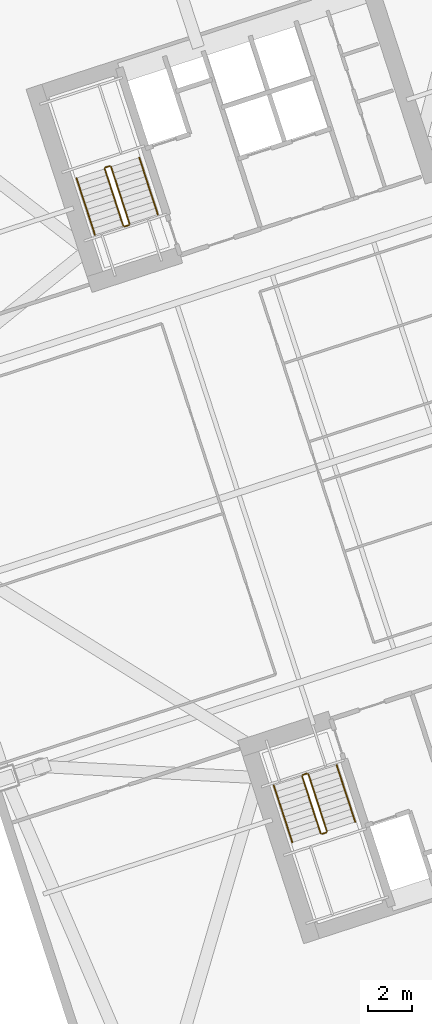
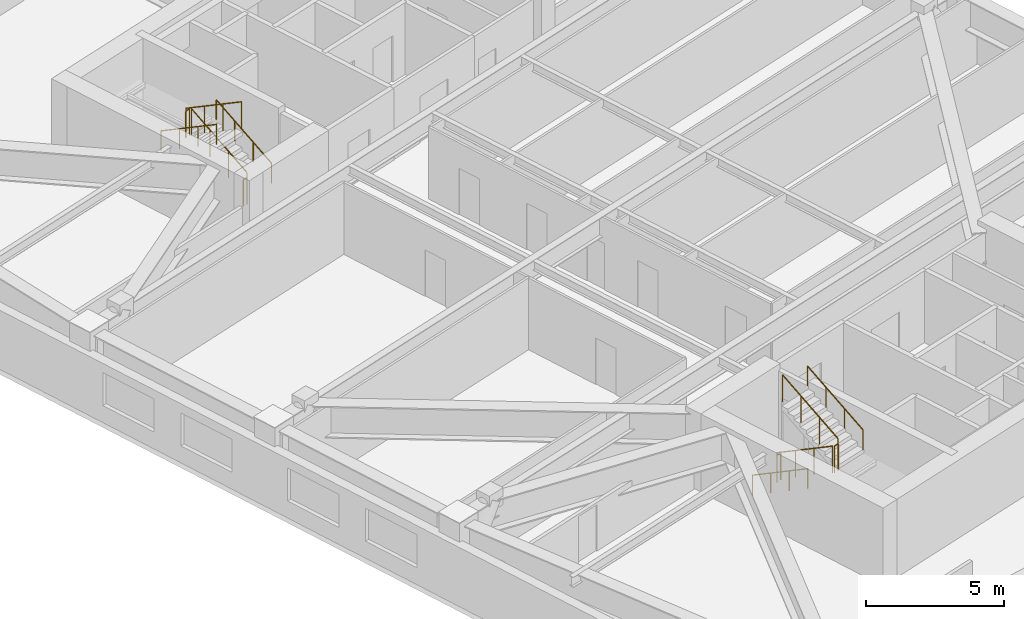
# One storey, part 18 of 18: 12 railings.
"""IFC4 building model written with IfcOpenShell, lengths in metres."""

from ifc_helpers import new_model, si_unit, direction, frame, origin, origin_2d, place, context, subcontext, project, spatial, circle, extrude, material, type_object, element, save


model = new_model("IFC4")

# Units and contexts
model_context = context("Model", 3, precision=1e-05, world=origin(), true_north=direction((0.0, 1.0)))
body_context = subcontext(model_context, "Body", "Model", "MODEL_VIEW")
ifc_project = project(units=[si_unit("LENGTHUNIT", "METRE"), si_unit("AREAUNIT", "SQUARE_METRE"), si_unit("VOLUMEUNIT", "CUBIC_METRE"), si_unit("PLANEANGLEUNIT", "RADIAN"), si_unit("MASSUNIT", "GRAM", prefix="KILO")], contexts=[model_context])

# Site, building, storey
site_placement = place(None, origin())
site = spatial("IfcSite", under=ifc_project, at=site_placement, CompositionType="ELEMENT")
building_placement = place(site_placement, origin())
building = spatial("IfcBuilding", under=site, at=building_placement, Name="Qiaolan Cultural Towers", CompositionType="ELEMENT")
storey_placement = place(building_placement, frame((0.0, 0.0, 74.75)))
storey = spatial("IfcBuildingStorey", under=building, at=storey_placement, Name="L18", CompositionType="ELEMENT", Elevation=74.75)

# Railings
ifc_material_1 = material(Name="Galvanized Painted Steel Stair Guardrail", Category="steel")
railing_type_1 = type_object("IfcRailingType", Name="RL-STAIR-GRD", PredefinedType="GUARDRAIL", material=ifc_material_1)
railing_1_placement = place(storey_placement, frame((88.60205078125, 19.82421875, 0.172607421875)))
element("IfcRailing", 1, at=railing_1_placement, inside=storey, type_object=railing_type_1, Name="L18 ST-E1 stair guard 1", PredefinedType="GUARDRAIL", context=body_context, shape_type="SweptSolid", body=[
    extrude(circle(Radius=0.02392578125, at=origin_2d()), frame((0.0, 0.0, 1.17578125), z_axis=(0.267925668498, -0.824471088726, 0.498460891159), x_axis=(0.951043371037, 0.309057448393, 0.0)), (0.0, 0.0, 1.0), 3.114501953125),
    extrude(circle(Radius=0.02099609375, at=origin_2d()), origin(), (0.0, 0.0, 1.0), 1.15185546875),
    extrude(circle(Radius=0.02099609375, at=origin_2d()), frame((0.278076171875, -0.85595703125, 0.517578125)), (0.0, 0.0, 1.0), 1.15185546875),
    extrude(circle(Radius=0.02099609375, at=origin_2d()), frame((0.556396484375, -1.7119140625, 1.034912109375)), (0.0, 0.0, 1.0), 1.15185546875),
    extrude(circle(Radius=0.02099609375, at=origin_2d()), frame((0.83447265625, -2.56787109375, 1.552490234375)), (0.0, 0.0, 1.0), 1.15185546875),
])
railing_2_placement = place(storey_placement, frame((89.49951171875, 17.224365234375, 1.72509765625)))
element("IfcRailing", 2, at=railing_2_placement, inside=storey, type_object=railing_type_1, Name="L18 ST-E1 stair guard 2", PredefinedType="GUARDRAIL", context=body_context, shape_type="SweptSolid", body=[
    extrude(circle(Radius=0.02392578125, at=origin_2d()), frame((0.0, 0.0, 1.17578125), z_axis=(0.951096855055, 0.308892816854, 0.0), x_axis=(-0.308892816854, 0.951096855055, 0.0)), (0.0, 0.0, 1.0), 0.199951171875),
    extrude(circle(Radius=0.02099609375, at=origin_2d()), origin(), (0.0, 0.0, 1.0), 1.15185546875),
    extrude(circle(Radius=0.02099609375, at=origin_2d()), frame((0.190185546875, 0.061767578125, 0.0)), (0.0, 0.0, 1.0), 1.15185546875),
])
railing_3_placement = place(storey_placement, frame((89.721923828125, 17.34912109375, 1.8974609375)))
element("IfcRailing", 3, at=railing_3_placement, inside=storey, type_object=railing_type_1, Name="L18 ST-E1 stair guard 3", PredefinedType="GUARDRAIL", context=body_context, shape_type="SweptSolid", body=[
    extrude(circle(Radius=0.02392578125, at=origin_2d()), frame((0.0, 0.0, 1.17578125), z_axis=(-0.267925668498, 0.824471088726, 0.498460891159), x_axis=(-0.951043371037, -0.309057448393, 0.0)), (0.0, 0.0, 1.0), 3.114501953125),
    extrude(circle(Radius=0.02099609375, at=origin_2d()), origin(), (0.0, 0.0, 1.0), 1.15185546875),
    extrude(circle(Radius=0.02099609375, at=origin_2d()), frame((-0.278076171875, 0.85595703125, 0.517578125)), (0.0, 0.0, 1.0), 1.15185546875),
    extrude(circle(Radius=0.02099609375, at=origin_2d()), frame((-0.556396484375, 1.7119140625, 1.034912109375)), (0.0, 0.0, 1.0), 1.15185546875),
    extrude(circle(Radius=0.02099609375, at=origin_2d()), frame((-0.83447265625, 2.56787109375, 1.552490234375)), (0.0, 0.0, 1.0), 1.15185546875),
])
railing_4_placement = place(storey_placement, frame((88.63427734375, 19.88720703125, 0.0)))
element("IfcRailing", 4, at=railing_4_placement, inside=storey, type_object=railing_type_1, Name="L18 ST-E1 stair guard 4", PredefinedType="GUARDRAIL", context=body_context, shape_type="SweptSolid", body=[
    extrude(circle(Radius=0.02392578125, at=origin_2d()), frame((0.0, 0.0, 1.17578125), z_axis=(0.951096855055, 0.308892816854, 0.0), x_axis=(-0.308892816854, 0.951096855055, 0.0)), (0.0, 0.0, 1.0), 0.199951171875),
    extrude(circle(Radius=0.02099609375, at=origin_2d()), origin(), (0.0, 0.0, 1.0), 1.15185546875),
    extrude(circle(Radius=0.02099609375, at=origin_2d()), frame((0.190185546875, 0.061767578125, 0.0)), (0.0, 0.0, 1.0), 1.15185546875),
])
railing_5_placement = place(storey_placement, frame((80.822021484375, 44.739501953125, 0.172607421875)))
element("IfcRailing", 5, at=railing_5_placement, inside=storey, type_object=railing_type_1, Name="L18 ST-E2 stair guard 1", PredefinedType="GUARDRAIL", context=body_context, shape_type="SweptSolid", body=[
    extrude(circle(Radius=0.02392578125, at=origin_2d()), frame((0.0, 0.0, 1.17578125), z_axis=(-0.26785290645, 0.824488402118, 0.498471358535), x_axis=(-0.951069945308, -0.308975661068, 0.0)), (0.0, 0.0, 1.0), 3.114501953125),
    extrude(circle(Radius=0.02099609375, at=origin_2d()), origin(), (0.0, 0.0, 1.0), 1.15185546875),
    extrude(circle(Radius=0.02099609375, at=origin_2d()), frame((-0.278076171875, 0.85595703125, 0.517578125)), (0.0, 0.0, 1.0), 1.15185546875),
    extrude(circle(Radius=0.02099609375, at=origin_2d()), frame((-0.55615234375, 1.7119140625, 1.034912109375)), (0.0, 0.0, 1.0), 1.15185546875),
    extrude(circle(Radius=0.02099609375, at=origin_2d()), frame((-0.834228515625, 2.56787109375, 1.552490234375)), (0.0, 0.0, 1.0), 1.15185546875),
])
railing_6_placement = place(storey_placement, frame((79.9248046875, 47.33935546875, 1.72509765625)))
element("IfcRailing", 6, at=railing_6_placement, inside=storey, type_object=railing_type_1, Name="L18 ST-E2 stair guard 2", PredefinedType="GUARDRAIL", context=body_context, shape_type="SweptSolid", body=[
    extrude(circle(Radius=0.02392578125, at=origin_2d()), frame((0.0, 0.0, 1.17578125), z_axis=(-0.951096855055, -0.308892816854, 0.0), x_axis=(0.308892816854, -0.951096855055, 0.0)), (0.0, 0.0, 1.0), 0.199951171875),
    extrude(circle(Radius=0.02099609375, at=origin_2d()), origin(), (0.0, 0.0, 1.0), 1.15185546875),
    extrude(circle(Radius=0.02099609375, at=origin_2d()), frame((-0.190185546875, -0.061767578125, 0.0)), (0.0, 0.0, 1.0), 1.15185546875),
])
railing_7_placement = place(storey_placement, frame((79.702392578125, 47.214599609375, 1.8974609375)))
element("IfcRailing", 7, at=railing_7_placement, inside=storey, type_object=railing_type_1, Name="L18 ST-E2 stair guard 3", PredefinedType="GUARDRAIL", context=body_context, shape_type="SweptSolid", body=[
    extrude(circle(Radius=0.02392578125, at=origin_2d()), frame((0.0, 0.0, 1.17578125), z_axis=(0.267925668498, -0.824471088726, 0.498460891159), x_axis=(0.951043371037, 0.309057448393, 0.0)), (0.0, 0.0, 1.0), 3.114501953125),
    extrude(circle(Radius=0.02099609375, at=origin_2d()), origin(), (0.0, 0.0, 1.0), 1.15185546875),
    extrude(circle(Radius=0.02099609375, at=origin_2d()), frame((0.278076171875, -0.85595703125, 0.517578125)), (0.0, 0.0, 1.0), 1.15185546875),
    extrude(circle(Radius=0.02099609375, at=origin_2d()), frame((0.556396484375, -1.7119140625, 1.034912109375)), (0.0, 0.0, 1.0), 1.15185546875),
    extrude(circle(Radius=0.02099609375, at=origin_2d()), frame((0.83447265625, -2.56787109375, 1.552490234375)), (0.0, 0.0, 1.0), 1.15185546875),
])
railing_8_placement = place(storey_placement, frame((80.7900390625, 44.676513671875, 0.0)))
element("IfcRailing", 8, at=railing_8_placement, inside=storey, type_object=railing_type_1, Name="L18 ST-E2 stair guard 4", PredefinedType="GUARDRAIL", context=body_context, shape_type="SweptSolid", body=[
    extrude(circle(Radius=0.02392578125, at=origin_2d()), frame((0.0, 0.0, 1.17578125), z_axis=(-0.951096855055, -0.308892816854, 0.0), x_axis=(0.308892816854, -0.951096855055, 0.0)), (0.0, 0.0, 1.0), 0.199951171875),
    extrude(circle(Radius=0.02099609375, at=origin_2d()), origin(), (0.0, 0.0, 1.0), 1.15185546875),
    extrude(circle(Radius=0.02099609375, at=origin_2d()), frame((-0.190185546875, -0.061767578125, 0.0)), (0.0, 0.0, 1.0), 1.15185546875),
])
ifc_material_2 = material(Name="Stainless Steel S30408 Tubular Handrail", Category="steel")
railing_type_2 = type_object("IfcRailingType", Name="RL-STAIR-HR", PredefinedType="HANDRAIL", material=ifc_material_2)
railing_9_placement = place(storey_placement, frame((87.32763671875, 19.41015625, 0.172607421875)))
element("IfcRailing", 9, at=railing_9_placement, inside=storey, type_object=railing_type_2, Name="L18 ST-E1 stair handrail 1", PredefinedType="HANDRAIL", context=body_context, shape_type="SweptSolid", body=[
    extrude(circle(Radius=0.02392578125, at=origin_2d()), frame((0.0, 0.0, 0.8759765625), z_axis=(0.267925668498, -0.824471088726, 0.498460891159), x_axis=(0.951043371037, 0.309057448393, 0.0)), (0.0, 0.0, 1.0), 3.114501953125),
    extrude(circle(Radius=0.02099609375, at=origin_2d()), origin(), (0.0, 0.0, 1.0), 0.851806640625),
    extrude(circle(Radius=0.02099609375, at=origin_2d()), frame((0.278076171875, -0.85595703125, 0.517578125)), (0.0, 0.0, 1.0), 0.851806640625),
    extrude(circle(Radius=0.02099609375, at=origin_2d()), frame((0.556396484375, -1.7119140625, 1.034912109375)), (0.0, 0.0, 1.0), 0.851806640625),
    extrude(circle(Radius=0.02099609375, at=origin_2d()), frame((0.83447265625, -2.56787109375, 1.552490234375)), (0.0, 0.0, 1.0), 0.851806640625),
])
railing_10_placement = place(storey_placement, frame((90.996337890625, 17.76318359375, 1.8974609375)))
element("IfcRailing", 10, at=railing_10_placement, inside=storey, type_object=railing_type_2, Name="L18 ST-E1 stair handrail 2", PredefinedType="HANDRAIL", context=body_context, shape_type="SweptSolid", body=[
    extrude(circle(Radius=0.02392578125, at=origin_2d()), frame((0.0, 0.0, 0.8759765625), z_axis=(-0.267925668498, 0.824471088726, 0.498460891159), x_axis=(-0.951043371037, -0.309057448393, 0.0)), (0.0, 0.0, 1.0), 3.114501953125),
    extrude(circle(Radius=0.02099609375, at=origin_2d()), origin(), (0.0, 0.0, 1.0), 0.851806640625),
    extrude(circle(Radius=0.02099609375, at=origin_2d()), frame((-0.278076171875, 0.85595703125, 0.517578125)), (0.0, 0.0, 1.0), 0.851806640625),
    extrude(circle(Radius=0.02099609375, at=origin_2d()), frame((-0.556396484375, 1.7119140625, 1.034912109375)), (0.0, 0.0, 1.0), 0.851806640625),
    extrude(circle(Radius=0.02099609375, at=origin_2d()), frame((-0.83447265625, 2.56787109375, 1.552490234375)), (0.0, 0.0, 1.0), 0.851806640625),
])
railing_11_placement = place(storey_placement, frame((82.096435546875, 45.153564453125, 0.172607421875)))
element("IfcRailing", 11, at=railing_11_placement, inside=storey, type_object=railing_type_2, Name="L18 ST-E2 stair handrail 1", PredefinedType="HANDRAIL", context=body_context, shape_type="SweptSolid", body=[
    extrude(circle(Radius=0.02392578125, at=origin_2d()), frame((0.0, 0.0, 0.8759765625), z_axis=(-0.26785290645, 0.824488402118, 0.498471358535), x_axis=(-0.951069945308, -0.308975661068, 0.0)), (0.0, 0.0, 1.0), 3.114501953125),
    extrude(circle(Radius=0.02099609375, at=origin_2d()), origin(), (0.0, 0.0, 1.0), 0.851806640625),
    extrude(circle(Radius=0.02099609375, at=origin_2d()), frame((-0.278076171875, 0.85595703125, 0.517578125)), (0.0, 0.0, 1.0), 0.851806640625),
    extrude(circle(Radius=0.02099609375, at=origin_2d()), frame((-0.55615234375, 1.7119140625, 1.034912109375)), (0.0, 0.0, 1.0), 0.851806640625),
    extrude(circle(Radius=0.02099609375, at=origin_2d()), frame((-0.834228515625, 2.56787109375, 1.552490234375)), (0.0, 0.0, 1.0), 0.851806640625),
])
railing_12_placement = place(storey_placement, frame((78.427978515625, 46.800537109375, 1.8974609375)))
element("IfcRailing", 12, at=railing_12_placement, inside=storey, type_object=railing_type_2, Name="L18 ST-E2 stair handrail 2", PredefinedType="HANDRAIL", context=body_context, shape_type="SweptSolid", body=[
    extrude(circle(Radius=0.02392578125, at=origin_2d()), frame((0.0, 0.0, 0.8759765625), z_axis=(0.267925668498, -0.824471088726, 0.498460891159), x_axis=(0.951043371037, 0.309057448393, 0.0)), (0.0, 0.0, 1.0), 3.114501953125),
    extrude(circle(Radius=0.02099609375, at=origin_2d()), origin(), (0.0, 0.0, 1.0), 0.851806640625),
    extrude(circle(Radius=0.02099609375, at=origin_2d()), frame((0.278076171875, -0.85595703125, 0.517578125)), (0.0, 0.0, 1.0), 0.851806640625),
    extrude(circle(Radius=0.02099609375, at=origin_2d()), frame((0.556396484375, -1.7119140625, 1.034912109375)), (0.0, 0.0, 1.0), 0.851806640625),
    extrude(circle(Radius=0.02099609375, at=origin_2d()), frame((0.83447265625, -2.56787109375, 1.552490234375)), (0.0, 0.0, 1.0), 0.851806640625),
])

save(model, "model.ifc")
